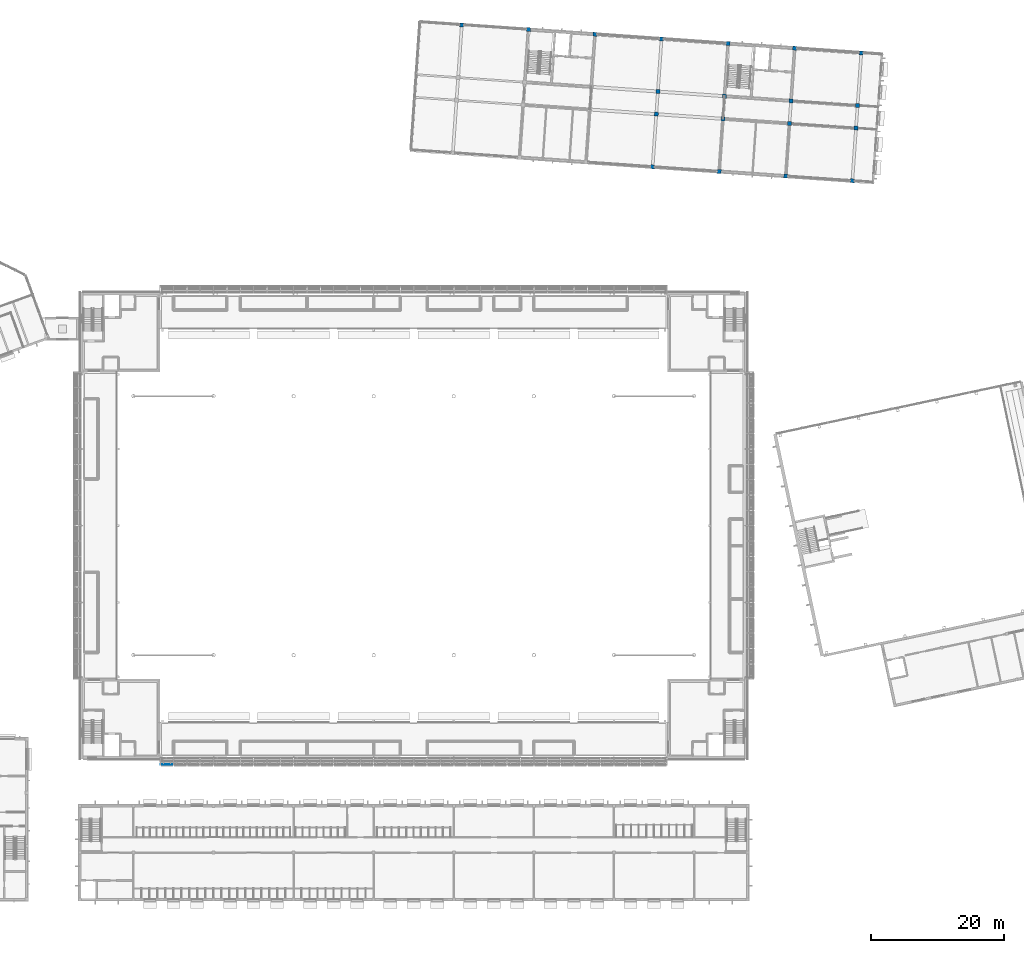
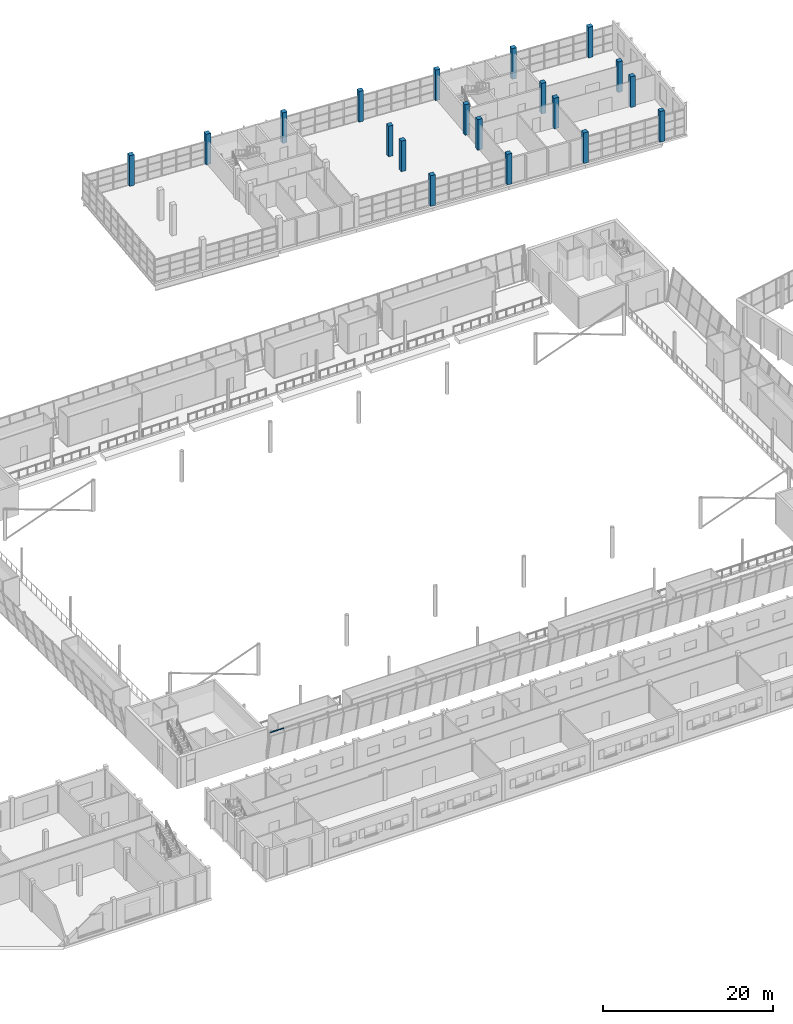
# One storey, part 26 of 115: 19 columns, 1 member, 1 element without a shape of its own.
"""IFC4 building model written with IfcOpenShell, lengths in metres."""

from ifc_helpers import new_model, si_unit, direction, frame, origin, origin_2d, place, context, subcontext, project, spatial, rectangle, extrude, material, layer, layer_set, material_profile, profile_set, type_object, element, aggregate, save


model = new_model("IFC4")

# Units and contexts
model_context = context("Model", 3, precision=1e-05, world=origin(), true_north=direction((0.0, 1.0)))
body_context = subcontext(model_context, "Body", "Model", "MODEL_VIEW")
ifc_project = project(units=[si_unit("LENGTHUNIT", "METRE"), si_unit("AREAUNIT", "SQUARE_METRE"), si_unit("VOLUMEUNIT", "CUBIC_METRE"), si_unit("PLANEANGLEUNIT", "RADIAN"), si_unit("MASSUNIT", "GRAM", prefix="KILO")], contexts=[model_context])

# Site, building, storey
site_placement = place(None, origin())
site = spatial("IfcSite", under=ifc_project, at=site_placement, CompositionType="ELEMENT")
building_placement = place(site_placement, origin())
building = spatial("IfcBuilding", under=site, at=building_placement, Name="Windward Yard Aquatics Centre", CompositionType="ELEMENT")
storey_placement = place(building_placement, frame((0.0, 0.0, 5.0)))
storey = spatial("IfcBuildingStorey", under=building, at=storey_placement, Name="L01", CompositionType="ELEMENT", Elevation=5.0)

# Columns
ifc_material_1 = material(Name="Concrete C50/60", Category="concrete")
ifc_material_profile_1 = material_profile(ifc_material_1, rectangle(XDim=0.60009765625, YDim=0.60009765625, at=origin_2d()), Name="RC 600x600")
ifc_profile_set_1 = profile_set([ifc_material_profile_1], Name="Concrete C50/60")
column_type = type_object("IfcColumnType", Name="W RC 600x600 column Concrete C50/60", PredefinedType="COLUMN", material=ifc_profile_set_1)
for number, where, z_axis, x_axis, name in (
    (1, (109.202392578125, 136.018310546875, 0.0), (0.0, 0.0, 1.0), (0.99756405026, -0.069756473744, 0.0), "W.COL.L01.1D"),
    (2, (119.17822265625, 135.32080078125, 0.0), (0.0, 0.0, 1.0), (0.99756405026, -0.069756473744, 0.0), "W.COL.L01.2D"),
    (3, (129.15380859375, 134.623291015625, 0.0), (0.0, 0.0, 1.0), (0.99756405026, -0.069756473744, 0.0), "W.COL.L01.3D"),
    (4, (137.7900390625, 114.7724609375, 0.0), (0.0, 0.0, 1.0), (0.99756405026, -0.069756473744, 0.0), "W.COL.L01.4A"),
    (5, (138.34130859375, 122.6533203125, 0.0), (0.0, 0.0, 1.0), (0.99756405026, -0.069756473744, 0.0), "W.COL.L01.4B"),
    (6, (138.578369140625, 126.044921875, 0.0), (0.0, 0.0, 1.0), (0.99756405026, -0.069756473744, 0.0), "W.COL.L01.4C"),
    (7, (139.12939453125, 133.925537109375, 0.0), (0.0, 0.0, 1.0), (0.99756405026, -0.069756473744, 0.0), "W.COL.L01.4D"),
    (8, (147.765869140625, 114.07470703125, 0.0), (0.0, 0.0, 1.0), (0.99756405026, -0.069756473744, 0.0), "W.COL.L01.5A"),
    (9, (148.31689453125, 121.95556640625, 0.0), (0.0, 0.0, 1.0), (0.99756405026, -0.069756473744, 0.0), "W.COL.L01.5B"),
    (10, (148.553955078125, 125.347412109375, 0.0), (0.0, 0.0, 1.0), (0.99756405026, -0.069756473744, 0.0), "W.COL.L01.5C"),
    (11, (149.10498046875, 133.22802734375, 0.0), (0.0, 0.0, 1.0), (0.99756405026, -0.069756473744, 0.0), "W.COL.L01.5D"),
    (12, (157.741455078125, 113.377197265625, 0.0), (0.0, 0.0, 1.0), (0.99756405026, -0.069756473744, 0.0), "W.COL.L01.6A"),
    (13, (158.29248046875, 121.258056640625, 0.0), (0.0, 0.0, 1.0), (0.99756405026, -0.069756473744, 0.0), "W.COL.L01.6B"),
    (14, (158.52978515625, 124.649658203125, 0.0), (0.0, 0.0, 1.0), (0.99756405026, -0.069756473744, 0.0), "W.COL.L01.6C"),
    (15, (159.080810546875, 132.530517578125, 0.0), (0.0, 0.0, 1.0), (0.99756405026, -0.069756473744, 0.0), "W.COL.L01.6D"),
    (16, (167.717041015625, 112.6796875, 0.0), (0.0, 0.0, 1.0), (0.99756405026, -0.069756473744, 0.0), "W.COL.L01.7A"),
    (17, (168.26806640625, 120.560546875, 0.0), (0.0, 0.0, 1.0), (0.99756405026, -0.069756473744, 0.0), "W.COL.L01.7B"),
    (18, (168.50537109375, 123.9521484375, 0.0), (0.0, 0.0, 1.0), (0.99756405026, -0.069756473744, 0.0), "W.COL.L01.7C"),
    (19, (169.056396484375, 131.8330078125, 0.0), (0.0, 0.0, 1.0), (0.99756405026, -0.069756473744, 0.0), "W.COL.L01.7D"),
):
    element("IfcColumn", number, at=place(storey_placement, frame(where, z_axis=z_axis, x_axis=x_axis)), inside=storey, type_object=column_type, Name=name, PredefinedType="COLUMN", context=body_context, shape_type="SweptSolid", body=[
        extrude(rectangle(XDim=0.60009765625, YDim=0.60009765625, at=origin_2d()), origin(), (0.0, 0.0, 1.0), 4.39990234375),
    ])

# Curtain wall, member
ifc_material_2 = material(Name="Glass and aluminium curtain wall", Category="aluminium")
ifc_layer = layer(ifc_material_2, 0.179931640625)
ifc_layer_set = layer_set([ifc_layer], Name="H curtain wall tier 1 double glazed 8+16+8")
curtain_wall_type = type_object("IfcCurtainWallType", Name="H curtain wall tier 1 double glazed 8+16+8", PredefinedType="NOTDEFINED", material=ifc_layer_set)
curtain_wall_placement = place(storey_placement, origin())
curtain_wall = element("IfcCurtainWall", 20, at=curtain_wall_placement, inside=storey, type_object=curtain_wall_type, Name="Tier 1 glazing S L01", PredefinedType="NOTDEFINED")
ifc_material_3 = material(Name="Aluminium 6063-T6 anodised", Category="aluminium")
ifc_material_profile_2 = material_profile(ifc_material_3, rectangle(XDim=0.06494140625, YDim=0.10009765625, at=origin_2d()), Name="H CW transom 65x100")
ifc_profile_set_2 = profile_set([ifc_material_profile_2], Name="Aluminium 6063-T6 anodised")
member_type = type_object("IfcMemberType", Name="H CW transom 65x100", PredefinedType="USERDEFINED", material=ifc_profile_set_2)
member_placement = place(storey_placement, frame((64.06494140625, 25.20654296875, 4.35107421875), z_axis=(1.0, 0.0, 0.0), x_axis=(0.0, 0.979924704642, 0.199367934315)))
member = element("IfcMember", 21, at=member_placement, type_object=member_type, Name="G1SA transom 1.3", ObjectType="TRANSOM", PredefinedType="USERDEFINED", context=body_context, shape_type="SweptSolid", body=[
    extrude(rectangle(XDim=0.06494140625, YDim=0.10009765625, at=origin_2d()), origin(), (0.0, 0.0, 1.0), 1.90234375),
])
aggregate(curtain_wall, [member])

save(model, "model.ifc")
